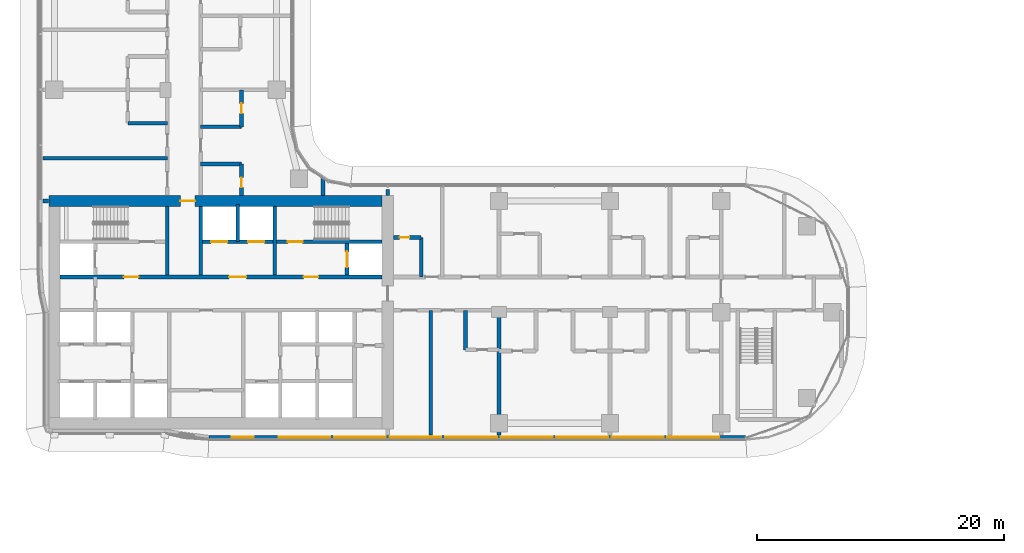
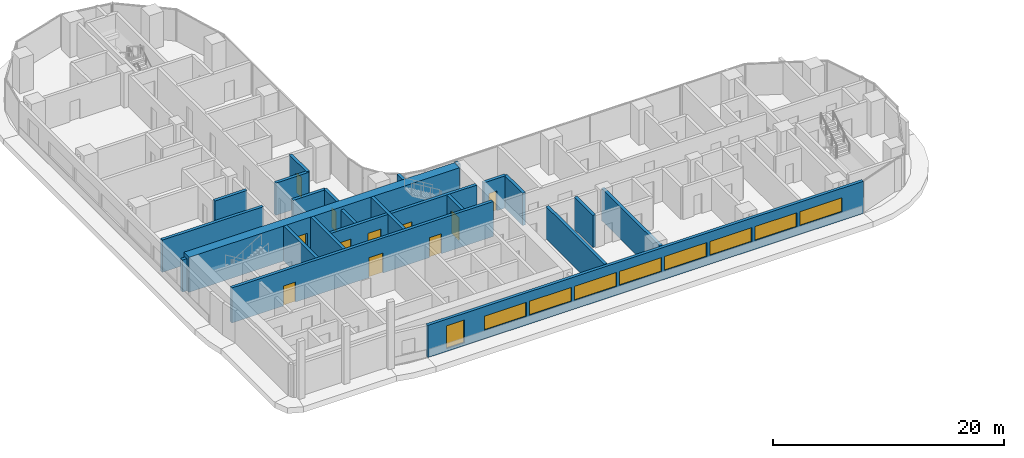
# One storey, part 20 of 39: 23 walls, 11 doors, 9 windows, 20 openings.
"""IFC4 building model written with IfcOpenShell, lengths in metres."""

from ifc_helpers import new_model, si_unit, direction, frame, frame_2d, origin, place, context, subcontext, project, spatial, rectangle, extrude, material, layer, layer_set, type_object, element, fill, save


model = new_model("IFC4")

# Units and contexts
model_context = context("Model", 3, precision=1e-05, world=origin(), true_north=direction((0.0, 1.0)))
body_context = subcontext(model_context, "Body", "Model", "MODEL_VIEW")
ifc_project = project(units=[si_unit("LENGTHUNIT", "METRE"), si_unit("AREAUNIT", "SQUARE_METRE"), si_unit("VOLUMEUNIT", "CUBIC_METRE"), si_unit("PLANEANGLEUNIT", "RADIAN"), si_unit("MASSUNIT", "GRAM", prefix="KILO")], contexts=[model_context])

# Site, building, storey
site_placement = place(None, origin())
site = spatial("IfcSite", under=ifc_project, at=site_placement, CompositionType="ELEMENT")
building_placement = place(site_placement, origin())
building = spatial("IfcBuilding", under=site, at=building_placement, Name="Ogive Portal Towers", CompositionType="ELEMENT")
storey_placement = place(building_placement, frame((0.0, 0.0, 44.60009765625)))
storey = spatial("IfcBuildingStorey", under=building, at=storey_placement, Name="L09", CompositionType="ELEMENT", Elevation=44.60009765625)

# Wall, openings, doors
ifc_material_1 = material(Name="Concrete C60/75", Category="concrete")
ifc_layer_1 = layer(ifc_material_1, 0.300048828125)
ifc_layer_set_1 = layer_set([ifc_layer_1], Name="CORE WALL 300 C60")
wall_type_1 = type_object("IfcWallType", Name="CORE WALL 300 C60", PredefinedType="SHEAR", material=ifc_layer_set_1)
wall_1_placement = place(storey_placement, frame((31.949951171875, 33.35009765625, 0.0), z_axis=(0.0, 0.0, 1.0), x_axis=(1.0, 0.0, 0.0)))
wall_1 = element("IfcWall", 1, at=wall_1_placement, inside=storey, type_object=wall_type_1, Name="Core wall Y2 L09", PredefinedType="SHEAR", context=body_context, shape_type="SweptSolid", body=[
    extrude(rectangle(XDim=26.10009765625, YDim=0.300048828125, at=frame_2d((13.050048828125, 0.0))), origin(), (0.0, 0.0, 1.0), 3.699951171875),
])
opening_1_placement = place(wall_1_placement, frame((13.699951171875, 0.0, 0.0)))
opening_1 = element("IfcOpeningElement", 2, at=opening_1_placement, cuts=wall_1, Name="Opening D02-002", PredefinedType="OPENING", context=body_context, shape_type="SweptSolid", body=[
    extrude(rectangle(XDim=1.39990234375, YDim=2.10009765625, at=frame_2d((0.699951171875, 1.050048828125))), frame((0.0, 0.16015625, 0.0), z_axis=(0.0, -1.0, 0.0), x_axis=(1.0, 0.0, 0.0)), (0.0, 0.0, 1.0), 0.320068359375),
])
opening_2_placement = place(wall_1_placement, frame((5.175048828125, 0.0, 0.0)))
opening_2 = element("IfcOpeningElement", 3, at=opening_2_placement, cuts=wall_1, Name="Opening D02-003", PredefinedType="OPENING", context=body_context, shape_type="SweptSolid", body=[
    extrude(rectangle(XDim=1.199951171875, YDim=2.10009765625, at=frame_2d((0.60009765625, 1.050048828125))), frame((0.0, 0.16015625, 0.0), z_axis=(0.0, -1.0, 0.0), x_axis=(1.0, 0.0, 0.0)), (0.0, 0.0, 1.0), 0.320068359375),
])
opening_3_placement = place(wall_1_placement, frame((19.72509765625, 0.0, 0.0)))
opening_3 = element("IfcOpeningElement", 4, at=opening_3_placement, cuts=wall_1, Name="Opening D02-004", PredefinedType="OPENING", context=body_context, shape_type="SweptSolid", body=[
    extrude(rectangle(XDim=1.199951171875, YDim=2.10009765625, at=frame_2d((0.60009765625, 1.050048828125))), frame((0.0, 0.16015625, 0.0), z_axis=(0.0, -1.0, 0.0), x_axis=(1.0, 0.0, 0.0)), (0.0, 0.0, 1.0), 0.320068359375),
])
ifc_material_2 = material(Name="Steel fire door", Category="steel")
door_type_1 = type_object("IfcDoorType", Name="DT-SWING-1200x2100-FD90S", OperationType="SINGLE_SWING_LEFT", PredefinedType="DOOR", material=ifc_material_2)
door_1_placement = place(opening_2_placement, origin())
door_1 = element("IfcDoor", 5, at=door_1_placement, inside=storey, type_object=door_type_1, Name="Door D02-003", OperationType="SINGLE_SWING_LEFT", OverallHeight=2.10009765625, OverallWidth=1.199951171875, PredefinedType="DOOR", context=body_context, shape_type="SweptSolid", body=[
    extrude(rectangle(XDim=1.199951171875, YDim=2.10009765625, at=frame_2d((0.60009765625, 1.050048828125))), frame((0.0, 0.02490234375, 0.0), z_axis=(0.0, -1.0, 0.0), x_axis=(1.0, 0.0, 0.0)), (0.0, 0.0, 1.0), 0.050048828125),
])
fill(opening_2, door_1)
door_2_placement = place(opening_3_placement, origin())
door_2 = element("IfcDoor", 6, at=door_2_placement, inside=storey, type_object=door_type_1, Name="Door D02-004", OperationType="SINGLE_SWING_RIGHT", OverallHeight=2.10009765625, OverallWidth=1.199951171875, PredefinedType="DOOR", context=body_context, shape_type="SweptSolid", body=[
    extrude(rectangle(XDim=1.199951171875, YDim=2.10009765625, at=frame_2d((0.60009765625, 1.050048828125))), frame((0.0, 0.02490234375, 0.0), z_axis=(0.0, -1.0, 0.0), x_axis=(1.0, 0.0, 0.0)), (0.0, 0.0, 1.0), 0.050048828125),
])
fill(opening_3, door_2)
door_type_2 = type_object("IfcDoorType", Name="DT-SWING-1400x2100-FD90S", OperationType="SINGLE_SWING_LEFT", PredefinedType="DOOR", material=ifc_material_2)
door_3_placement = place(opening_1_placement, origin())
door_3 = element("IfcDoor", 7, at=door_3_placement, inside=storey, type_object=door_type_2, Name="Door D02-002", OperationType="SINGLE_SWING_RIGHT", OverallHeight=2.10009765625, OverallWidth=1.39990234375, PredefinedType="DOOR", context=body_context, shape_type="SweptSolid", body=[
    extrude(rectangle(XDim=1.39990234375, YDim=2.10009765625, at=frame_2d((0.699951171875, 1.050048828125))), frame((0.0, 0.02490234375, 0.0), z_axis=(0.0, -1.0, 0.0), x_axis=(1.0, 0.0, 0.0)), (0.0, 0.0, 1.0), 0.050048828125),
])
fill(opening_1, door_3)

wall_2_placement = place(storey_placement, frame((43.5, 36.199951171875, 0.0), z_axis=(0.0, 0.0, 1.0), x_axis=(1.0, 0.0, 0.0)))
wall_2 = element("IfcWall", 8, at=wall_2_placement, inside=storey, type_object=wall_type_1, Name="Core wall Y3b L09", PredefinedType="SHEAR", context=body_context, shape_type="SweptSolid", body=[
    extrude(rectangle(XDim=14.550048828125, YDim=0.300048828125, at=frame_2d((7.27490234375, 0.0))), origin(), (0.0, 0.0, 1.0), 3.699951171875),
])
opening_4_placement = place(wall_2_placement, frame((6.89990234375, 0.0, 0.0)))
opening_4 = element("IfcOpeningElement", 9, at=opening_4_placement, cuts=wall_2, Name="Opening D02-006", PredefinedType="OPENING", context=body_context, shape_type="SweptSolid", body=[
    extrude(rectangle(XDim=1.199951171875, YDim=2.10009765625, at=frame_2d((0.60009765625, 1.050048828125))), frame((0.0, 0.16015625, 0.0), z_axis=(0.0, -1.0, 0.0), x_axis=(1.0, 0.0, 0.0)), (0.0, 0.0, 1.0), 0.320068359375),
])
opening_5_placement = place(wall_2_placement, frame((0.699951171875, 0.0, 0.0)))
opening_5 = element("IfcOpeningElement", 10, at=opening_5_placement, cuts=wall_2, Name="Opening D02-017", PredefinedType="OPENING", context=body_context, shape_type="SweptSolid", body=[
    extrude(rectangle(XDim=1.300048828125, YDim=2.39990234375, at=frame_2d((0.64990234375, 1.199951171875))), frame((0.0, 0.16015625, 0.0), z_axis=(0.0, -1.0, 0.0), x_axis=(1.0, 0.0, 0.0)), (0.0, 0.0, 1.0), 0.320068359375),
])
opening_6_placement = place(wall_2_placement, frame((3.699951171875, 0.0, 0.0)))
opening_6 = element("IfcOpeningElement", 11, at=opening_6_placement, cuts=wall_2, Name="Opening D02-018", PredefinedType="OPENING", context=body_context, shape_type="SweptSolid", body=[
    extrude(rectangle(XDim=1.300048828125, YDim=2.39990234375, at=frame_2d((0.64990234375, 1.199951171875))), frame((0.0, 0.16015625, 0.0), z_axis=(0.0, -1.0, 0.0), x_axis=(1.0, 0.0, 0.0)), (0.0, 0.0, 1.0), 0.320068359375),
])
ifc_material_3 = material(Name="Stainless steel", Category="steel")
door_type_3 = type_object("IfcDoorType", Name="DT-LD-1300x2400", OperationType="SLIDING_TO_LEFT", PredefinedType="DOOR", material=ifc_material_3)
door_4_placement = place(opening_5_placement, origin())
door_4 = element("IfcDoor", 12, at=door_4_placement, inside=storey, type_object=door_type_3, Name="Door D02-017", OperationType="SLIDING_TO_LEFT", OverallHeight=2.39990234375, OverallWidth=1.300048828125, PredefinedType="DOOR", context=body_context, shape_type="SweptSolid", body=[
    extrude(rectangle(XDim=1.300048828125, YDim=2.39990234375, at=frame_2d((0.64990234375, 1.199951171875))), frame((0.0, 0.02490234375, 0.0), z_axis=(0.0, -1.0, 0.0), x_axis=(1.0, 0.0, 0.0)), (0.0, 0.0, 1.0), 0.050048828125),
])
fill(opening_5, door_4)
door_5_placement = place(opening_6_placement, origin())
door_5 = element("IfcDoor", 13, at=door_5_placement, inside=storey, type_object=door_type_3, Name="Door D02-018", OperationType="SLIDING_TO_LEFT", OverallHeight=2.39990234375, OverallWidth=1.300048828125, PredefinedType="DOOR", context=body_context, shape_type="SweptSolid", body=[
    extrude(rectangle(XDim=1.300048828125, YDim=2.39990234375, at=frame_2d((0.64990234375, 1.199951171875))), frame((0.0, 0.02490234375, 0.0), z_axis=(0.0, -1.0, 0.0), x_axis=(1.0, 0.0, 0.0)), (0.0, 0.0, 1.0), 0.050048828125),
])
fill(opening_6, door_5)
door_6_placement = place(opening_4_placement, origin())
door_6 = element("IfcDoor", 14, at=door_6_placement, inside=storey, type_object=door_type_1, Name="Door D02-006", OperationType="SINGLE_SWING_LEFT", OverallHeight=2.10009765625, OverallWidth=1.199951171875, PredefinedType="DOOR", context=body_context, shape_type="SweptSolid", body=[
    extrude(rectangle(XDim=1.199951171875, YDim=2.10009765625, at=frame_2d((0.60009765625, 1.050048828125))), frame((0.0, 0.02490234375, 0.0), z_axis=(0.0, -1.0, 0.0), x_axis=(1.0, 0.0, 0.0)), (0.0, 0.0, 1.0), 0.050048828125),
])
fill(opening_4, door_6)

# Walls
for number, where, z_axis, x_axis, name in (
    (15, (40.64990234375, 33.5, 0.0), (0.0, 0.0, 1.0), (0.0, 1.0, 0.0), "Core wall X6 L09"),
    (16, (43.35009765625, 33.5, 0.0), (0.0, 0.0, 1.0), (0.0, 1.0, 0.0), "Core wall X7 L09"),
    (17, (49.35009765625, 33.5, 0.0), (0.0, 0.0, 1.0), (0.0, 1.0, 0.0), "Core wall X9 L09"),
):
    element("IfcWall", number, at=place(storey_placement, frame(where, z_axis=z_axis, x_axis=x_axis)), inside=storey, type_object=wall_type_1, Name=name, PredefinedType="SHEAR", context=body_context, shape_type="SweptSolid", body=[
        extrude(rectangle(XDim=5.550048828125, YDim=0.300048828125, at=frame_2d((2.77490234375, 0.0))), origin(), (0.0, 0.0, 1.0), 3.699951171875),
    ])

# Wall, opening, door
wall_3_placement = place(storey_placement, frame((55.199951171875, 33.5, 0.0), z_axis=(0.0, 0.0, 1.0), x_axis=(0.0, 1.0, 0.0)))
wall_3 = element("IfcWall", 18, at=wall_3_placement, inside=storey, type_object=wall_type_1, Name="Core wall X10 L09", PredefinedType="SHEAR", context=body_context, shape_type="SweptSolid", body=[
    extrude(rectangle(XDim=2.550048828125, YDim=0.300048828125, at=frame_2d((1.27490234375, 0.0))), origin(), (0.0, 0.0, 1.0), 3.699951171875),
])
opening_7_placement = place(wall_3_placement, frame((0.625, 0.0, 0.0)))
opening_7 = element("IfcOpeningElement", 19, at=opening_7_placement, cuts=wall_3, Name="Opening D02-020", PredefinedType="OPENING", context=body_context, shape_type="SweptSolid", body=[
    extrude(rectangle(XDim=1.300048828125, YDim=2.39990234375, at=frame_2d((0.64990234375, 1.199951171875))), frame((0.0, 0.16015625, 0.0), z_axis=(0.0, -1.0, 0.0), x_axis=(1.0, 0.0, 0.0)), (0.0, 0.0, 1.0), 0.320068359375),
])
door_7_placement = place(opening_7_placement, origin())
door_7 = element("IfcDoor", 20, at=door_7_placement, inside=storey, type_object=door_type_3, Name="Door D02-020", OperationType="SLIDING_TO_LEFT", OverallHeight=2.39990234375, OverallWidth=1.300048828125, PredefinedType="DOOR", context=body_context, shape_type="SweptSolid", body=[
    extrude(rectangle(XDim=1.300048828125, YDim=2.39990234375, at=frame_2d((0.64990234375, 1.199951171875))), frame((0.0, 0.02490234375, 0.0), z_axis=(0.0, -1.0, 0.0), x_axis=(1.0, 0.0, 0.0)), (0.0, 0.0, 1.0), 0.050048828125),
])
fill(opening_7, door_7)

ifc_layer_2 = layer(ifc_material_1, 0.89990234375)
ifc_layer_set_2 = layer_set([ifc_layer_2], Name="CORE WALL 900 C60")
wall_type_2 = type_object("IfcWallType", Name="CORE WALL 900 C60", PredefinedType="SHEAR", material=ifc_layer_set_2)
wall_4_placement = place(storey_placement, frame((31.050048828125, 39.5, 0.0), z_axis=(0.0, 0.0, 1.0), x_axis=(1.0, 0.0, 0.0)))
wall_4 = element("IfcWall", 21, at=wall_4_placement, inside=storey, type_object=wall_type_2, Name="Core wall N L09", PredefinedType="SHEAR", context=body_context, shape_type="SweptSolid", body=[
    extrude(rectangle(XDim=27.0, YDim=0.89990234375, at=frame_2d((13.5, 0.0))), origin(), (0.0, 0.0, 1.0), 3.699951171875),
])
opening_8_placement = place(wall_4_placement, frame((10.64990234375, 0.0, 0.0)))
opening_8 = element("IfcOpeningElement", 22, at=opening_8_placement, cuts=wall_4, Name="Opening D02-012", PredefinedType="OPENING", context=body_context, shape_type="SweptSolid", body=[
    extrude(rectangle(XDim=1.199951171875, YDim=2.10009765625, at=frame_2d((0.60009765625, 1.050048828125))), frame((0.0, 0.4599609375, 0.0), z_axis=(0.0, -1.0, 0.0), x_axis=(1.0, 0.0, 0.0)), (0.0, 0.0, 1.0), 0.919921875),
])
door_8_placement = place(opening_8_placement, origin())
door_8 = element("IfcDoor", 23, at=door_8_placement, inside=storey, type_object=door_type_1, Name="Door D02-012", OperationType="SINGLE_SWING_RIGHT", OverallHeight=2.10009765625, OverallWidth=1.199951171875, PredefinedType="DOOR", context=body_context, shape_type="SweptSolid", body=[
    extrude(rectangle(XDim=1.199951171875, YDim=2.10009765625, at=frame_2d((0.60009765625, 1.050048828125))), frame((0.0, 0.02490234375, 0.0), z_axis=(0.0, -1.0, 0.0), x_axis=(1.0, 0.0, 0.0)), (0.0, 0.0, 1.0), 0.050048828125),
])
fill(opening_8, door_8)

# Wall, openings, windows
ifc_material_4 = material(Name="Limestone cladding on lightweight block wall", Category="masonry")
ifc_layer_3 = layer(ifc_material_4, 0.300048828125)
ifc_layer_set_3 = layer_set([ifc_layer_3], Name="EXTERNAL WALL 300 STONE")
wall_type_3 = type_object("IfcWallType", Name="EXTERNAL WALL 300 STONE", PredefinedType="SOLIDWALL", material=ifc_layer_set_3)
wall_5_placement = place(storey_placement, frame((44.0205078125, 20.364990234375, 0.0), z_axis=(0.0, 0.0, 1.0), x_axis=(1.0, 0.0, 0.0)))
wall_5 = element("IfcWall", 24, at=wall_5_placement, inside=storey, type_object=wall_type_3, Name="A:L09:f05:r0:wall", PredefinedType="SOLIDWALL", context=body_context, shape_type="SweptSolid", body=[
    extrude(rectangle(XDim=43.4658203125, YDim=0.300048828125, at=frame_2d((21.73291015625, 0.0))), origin(), (0.0, 0.0, 1.0), 3.39990234375),
])
opening_9_placement = place(wall_5_placement, frame((1.83984375, 0.0, 0.300048828125)))
opening_9 = element("IfcOpeningElement", 25, at=opening_9_placement, cuts=wall_5, Name="Opening WN10", PredefinedType="OPENING", context=body_context, shape_type="SweptSolid", body=[
    extrude(rectangle(XDim=1.800048828125, YDim=2.39990234375, at=frame_2d((0.89990234375, 1.199951171875))), frame((0.0, 0.16015625, 0.0), z_axis=(0.0, -1.0, 0.0), x_axis=(1.0, 0.0, 0.0)), (0.0, 0.0, 1.0), 0.320068359375),
])
opening_10_placement = place(wall_5_placement, frame((5.629638671875, 0.0, 0.89990234375)))
opening_10 = element("IfcOpeningElement", 26, at=opening_10_placement, cuts=wall_5, Name="Opening WN11", PredefinedType="OPENING", context=body_context, shape_type="SweptSolid", body=[
    extrude(rectangle(XDim=4.199951171875, YDim=1.5, at=frame_2d((2.10009765625, 0.75))), frame((0.0, 0.16015625, 0.0), z_axis=(0.0, -1.0, 0.0), x_axis=(1.0, 0.0, 0.0)), (0.0, 0.0, 1.0), 0.320068359375),
])
opening_11_placement = place(wall_5_placement, frame((10.129638671875, 0.0, 0.89990234375)))
opening_11 = element("IfcOpeningElement", 27, at=opening_11_placement, cuts=wall_5, Name="Opening WN11", PredefinedType="OPENING", context=body_context, shape_type="SweptSolid", body=[
    extrude(rectangle(XDim=4.199951171875, YDim=1.5, at=frame_2d((2.10009765625, 0.75))), frame((0.0, 0.16015625, 0.0), z_axis=(0.0, -1.0, 0.0), x_axis=(1.0, 0.0, 0.0)), (0.0, 0.0, 1.0), 0.320068359375),
])
opening_12_placement = place(wall_5_placement, frame((14.629638671875, 0.0, 0.89990234375)))
opening_12 = element("IfcOpeningElement", 28, at=opening_12_placement, cuts=wall_5, Name="Opening WN11", PredefinedType="OPENING", context=body_context, shape_type="SweptSolid", body=[
    extrude(rectangle(XDim=4.199951171875, YDim=1.5, at=frame_2d((2.10009765625, 0.75))), frame((0.0, 0.16015625, 0.0), z_axis=(0.0, -1.0, 0.0), x_axis=(1.0, 0.0, 0.0)), (0.0, 0.0, 1.0), 0.320068359375),
])
opening_13_placement = place(wall_5_placement, frame((19.129638671875, 0.0, 0.89990234375)))
opening_13 = element("IfcOpeningElement", 29, at=opening_13_placement, cuts=wall_5, Name="Opening WN11", PredefinedType="OPENING", context=body_context, shape_type="SweptSolid", body=[
    extrude(rectangle(XDim=4.199951171875, YDim=1.5, at=frame_2d((2.10009765625, 0.75))), frame((0.0, 0.16015625, 0.0), z_axis=(0.0, -1.0, 0.0), x_axis=(1.0, 0.0, 0.0)), (0.0, 0.0, 1.0), 0.320068359375),
])
opening_14_placement = place(wall_5_placement, frame((23.629638671875, 0.0, 0.89990234375)))
opening_14 = element("IfcOpeningElement", 30, at=opening_14_placement, cuts=wall_5, Name="Opening WN11", PredefinedType="OPENING", context=body_context, shape_type="SweptSolid", body=[
    extrude(rectangle(XDim=4.199951171875, YDim=1.5, at=frame_2d((2.10009765625, 0.75))), frame((0.0, 0.16015625, 0.0), z_axis=(0.0, -1.0, 0.0), x_axis=(1.0, 0.0, 0.0)), (0.0, 0.0, 1.0), 0.320068359375),
])
opening_15_placement = place(wall_5_placement, frame((28.129638671875, 0.0, 0.89990234375)))
opening_15 = element("IfcOpeningElement", 31, at=opening_15_placement, cuts=wall_5, Name="Opening WN11", PredefinedType="OPENING", context=body_context, shape_type="SweptSolid", body=[
    extrude(rectangle(XDim=4.199951171875, YDim=1.5, at=frame_2d((2.10009765625, 0.75))), frame((0.0, 0.16015625, 0.0), z_axis=(0.0, -1.0, 0.0), x_axis=(1.0, 0.0, 0.0)), (0.0, 0.0, 1.0), 0.320068359375),
])
opening_16_placement = place(wall_5_placement, frame((32.629638671875, 0.0, 0.89990234375)))
opening_16 = element("IfcOpeningElement", 32, at=opening_16_placement, cuts=wall_5, Name="Opening WN11", PredefinedType="OPENING", context=body_context, shape_type="SweptSolid", body=[
    extrude(rectangle(XDim=4.199951171875, YDim=1.5, at=frame_2d((2.10009765625, 0.75))), frame((0.0, 0.16015625, 0.0), z_axis=(0.0, -1.0, 0.0), x_axis=(1.0, 0.0, 0.0)), (0.0, 0.0, 1.0), 0.320068359375),
])
opening_17_placement = place(wall_5_placement, frame((37.129638671875, 0.0, 0.89990234375)))
opening_17 = element("IfcOpeningElement", 33, at=opening_17_placement, cuts=wall_5, Name="Opening WN11", PredefinedType="OPENING", context=body_context, shape_type="SweptSolid", body=[
    extrude(rectangle(XDim=4.199951171875, YDim=1.5, at=frame_2d((2.10009765625, 0.75))), frame((0.0, 0.16015625, 0.0), z_axis=(0.0, -1.0, 0.0), x_axis=(1.0, 0.0, 0.0)), (0.0, 0.0, 1.0), 0.320068359375),
])
ifc_material_5 = material(Name="Glass, clear low-iron insulated glazing", Category="glass")
window_type_1 = type_object("IfcWindowType", Name="WINDOW RIBBON 4200x1500", PartitioningType="TRIPLE_PANEL_VERTICAL", PredefinedType="WINDOW", material=ifc_material_5)
window_1_placement = place(opening_10_placement, origin())
window_1 = element("IfcWindow", 34, at=window_1_placement, inside=storey, type_object=window_type_1, Name="A:L09:f05:r0:w1", OverallHeight=1.5, OverallWidth=4.199951171875, PartitioningType="SINGLE_PANEL", PredefinedType="WINDOW", context=body_context, shape_type="SweptSolid", body=[
    extrude(rectangle(XDim=4.199951171875, YDim=1.5, at=frame_2d((2.10009765625, 0.75))), frame((0.0, 0.030029296875, 0.0), z_axis=(0.0, -1.0, 0.0), x_axis=(1.0, 0.0, 0.0)), (0.0, 0.0, 1.0), 0.06005859375),
])
fill(opening_10, window_1)
window_2_placement = place(opening_11_placement, origin())
window_2 = element("IfcWindow", 35, at=window_2_placement, inside=storey, type_object=window_type_1, Name="A:L09:f05:r0:w2", OverallHeight=1.5, OverallWidth=4.199951171875, PartitioningType="SINGLE_PANEL", PredefinedType="WINDOW", context=body_context, shape_type="SweptSolid", body=[
    extrude(rectangle(XDim=4.199951171875, YDim=1.5, at=frame_2d((2.10009765625, 0.75))), frame((0.0, 0.030029296875, 0.0), z_axis=(0.0, -1.0, 0.0), x_axis=(1.0, 0.0, 0.0)), (0.0, 0.0, 1.0), 0.06005859375),
])
fill(opening_11, window_2)
window_3_placement = place(opening_12_placement, origin())
window_3 = element("IfcWindow", 36, at=window_3_placement, inside=storey, type_object=window_type_1, Name="A:L09:f05:r0:w3", OverallHeight=1.5, OverallWidth=4.199951171875, PartitioningType="SINGLE_PANEL", PredefinedType="WINDOW", context=body_context, shape_type="SweptSolid", body=[
    extrude(rectangle(XDim=4.199951171875, YDim=1.5, at=frame_2d((2.10009765625, 0.75))), frame((0.0, 0.030029296875, 0.0), z_axis=(0.0, -1.0, 0.0), x_axis=(1.0, 0.0, 0.0)), (0.0, 0.0, 1.0), 0.06005859375),
])
fill(opening_12, window_3)
window_4_placement = place(opening_13_placement, origin())
window_4 = element("IfcWindow", 37, at=window_4_placement, inside=storey, type_object=window_type_1, Name="A:L09:f05:r0:w4", OverallHeight=1.5, OverallWidth=4.199951171875, PartitioningType="SINGLE_PANEL", PredefinedType="WINDOW", context=body_context, shape_type="SweptSolid", body=[
    extrude(rectangle(XDim=4.199951171875, YDim=1.5, at=frame_2d((2.10009765625, 0.75))), frame((0.0, 0.030029296875, 0.0), z_axis=(0.0, -1.0, 0.0), x_axis=(1.0, 0.0, 0.0)), (0.0, 0.0, 1.0), 0.06005859375),
])
fill(opening_13, window_4)
window_5_placement = place(opening_14_placement, origin())
window_5 = element("IfcWindow", 38, at=window_5_placement, inside=storey, type_object=window_type_1, Name="A:L09:f05:r0:w5", OverallHeight=1.5, OverallWidth=4.199951171875, PartitioningType="SINGLE_PANEL", PredefinedType="WINDOW", context=body_context, shape_type="SweptSolid", body=[
    extrude(rectangle(XDim=4.199951171875, YDim=1.5, at=frame_2d((2.10009765625, 0.75))), frame((0.0, 0.030029296875, 0.0), z_axis=(0.0, -1.0, 0.0), x_axis=(1.0, 0.0, 0.0)), (0.0, 0.0, 1.0), 0.06005859375),
])
fill(opening_14, window_5)
window_6_placement = place(opening_15_placement, origin())
window_6 = element("IfcWindow", 39, at=window_6_placement, inside=storey, type_object=window_type_1, Name="A:L09:f05:r0:w6", OverallHeight=1.5, OverallWidth=4.199951171875, PartitioningType="SINGLE_PANEL", PredefinedType="WINDOW", context=body_context, shape_type="SweptSolid", body=[
    extrude(rectangle(XDim=4.199951171875, YDim=1.5, at=frame_2d((2.10009765625, 0.75))), frame((0.0, 0.030029296875, 0.0), z_axis=(0.0, -1.0, 0.0), x_axis=(1.0, 0.0, 0.0)), (0.0, 0.0, 1.0), 0.06005859375),
])
fill(opening_15, window_6)
window_7_placement = place(opening_16_placement, origin())
window_7 = element("IfcWindow", 40, at=window_7_placement, inside=storey, type_object=window_type_1, Name="A:L09:f05:r0:w7", OverallHeight=1.5, OverallWidth=4.199951171875, PartitioningType="SINGLE_PANEL", PredefinedType="WINDOW", context=body_context, shape_type="SweptSolid", body=[
    extrude(rectangle(XDim=4.199951171875, YDim=1.5, at=frame_2d((2.10009765625, 0.75))), frame((0.0, 0.030029296875, 0.0), z_axis=(0.0, -1.0, 0.0), x_axis=(1.0, 0.0, 0.0)), (0.0, 0.0, 1.0), 0.06005859375),
])
fill(opening_16, window_7)
window_8_placement = place(opening_17_placement, origin())
window_8 = element("IfcWindow", 41, at=window_8_placement, inside=storey, type_object=window_type_1, Name="A:L09:f05:r0:w8", OverallHeight=1.5, OverallWidth=4.199951171875, PartitioningType="SINGLE_PANEL", PredefinedType="WINDOW", context=body_context, shape_type="SweptSolid", body=[
    extrude(rectangle(XDim=4.199951171875, YDim=1.5, at=frame_2d((2.10009765625, 0.75))), frame((0.0, 0.030029296875, 0.0), z_axis=(0.0, -1.0, 0.0), x_axis=(1.0, 0.0, 0.0)), (0.0, 0.0, 1.0), 0.06005859375),
])
fill(opening_17, window_8)
window_type_2 = type_object("IfcWindowType", Name="WINDOW SUITE CORNER 1800x2400", PartitioningType="DOUBLE_PANEL_VERTICAL", PredefinedType="WINDOW", material=ifc_material_5)
window_9_placement = place(opening_9_placement, origin())
window_9 = element("IfcWindow", 42, at=window_9_placement, inside=storey, type_object=window_type_2, Name="A:L09:f05:r0:w0", OverallHeight=2.39990234375, OverallWidth=1.800048828125, PartitioningType="SINGLE_PANEL", PredefinedType="WINDOW", context=body_context, shape_type="SweptSolid", body=[
    extrude(rectangle(XDim=1.800048828125, YDim=2.39990234375, at=frame_2d((0.89990234375, 1.199951171875))), frame((0.0, 0.030029296875, 0.0), z_axis=(0.0, -1.0, 0.0), x_axis=(1.0, 0.0, 0.0)), (0.0, 0.0, 1.0), 0.06005859375),
])
fill(opening_9, window_9)

# Wall, opening, door
ifc_material_6 = material(Name="Gypsum board partition on steel studs", Category="steel")
ifc_layer_4 = layer(ifc_material_6, 0.300048828125)
ifc_layer_set_4 = layer_set([ifc_layer_4], Name="WT-PART-300-EI 60")
wall_type_4 = type_object("IfcWallType", Name="WT-PART-300-EI 60", PredefinedType="PARTITIONING", material=ifc_layer_set_4)
wall_6_placement = place(storey_placement, frame((58.949951171875, 36.550048828125, 0.0), z_axis=(0.0, 0.0, 1.0), x_axis=(1.0, 0.0, 0.0)))
wall_6 = element("IfcWall", 43, at=wall_6_placement, inside=storey, type_object=wall_type_4, Name="Wall L09:w010", PredefinedType="PARTITIONING", context=body_context, shape_type="SweptSolid", body=[
    extrude(rectangle(XDim=2.25, YDim=0.300048828125, at=frame_2d((1.125, 0.0))), origin(), (0.0, 0.0, 1.0), 3.39990234375),
])
opening_18_placement = place(wall_6_placement, frame((0.5, 0.0, 0.0)))
opening_18 = element("IfcOpeningElement", 44, at=opening_18_placement, cuts=wall_6, Name="Opening D02-026", PredefinedType="OPENING", context=body_context, shape_type="SweptSolid", body=[
    extrude(rectangle(XDim=0.800048828125, YDim=2.10009765625, at=frame_2d((0.39990234375, 1.050048828125))), frame((0.0, 0.16015625, 0.0), z_axis=(0.0, -1.0, 0.0), x_axis=(1.0, 0.0, 0.0)), (0.0, 0.0, 1.0), 0.320068359375),
])
door_type_4 = type_object("IfcDoorType", Name="DT-BATH-800x2100-FD60S", OperationType="SINGLE_SWING_LEFT", PredefinedType="DOOR", material=ifc_material_2)
door_9_placement = place(opening_18_placement, origin())
door_9 = element("IfcDoor", 45, at=door_9_placement, inside=storey, type_object=door_type_4, Name="Door D02-026", OperationType="SINGLE_SWING_LEFT", OverallHeight=2.10009765625, OverallWidth=0.800048828125, PredefinedType="DOOR", context=body_context, shape_type="SweptSolid", body=[
    extrude(rectangle(XDim=0.800048828125, YDim=2.10009765625, at=frame_2d((0.39990234375, 1.050048828125))), frame((0.0, 0.02490234375, 0.0), z_axis=(0.0, -1.0, 0.0), x_axis=(1.0, 0.0, 0.0)), (0.0, 0.0, 1.0), 0.050048828125),
])
fill(opening_18, door_9)

# Walls
wall_7_placement = place(storey_placement, frame((30.56494140625, 39.5, 0.0), z_axis=(0.0, 0.0, 1.0), x_axis=(1.0, 0.0, 0.0)))
element("IfcWall", 46, at=wall_7_placement, inside=storey, type_object=wall_type_4, Name="Wall L09:w014", PredefinedType="PARTITIONING", context=body_context, shape_type="SweptSolid", body=[
    extrude(rectangle(XDim=0.465087890625, YDim=0.300048828125, at=frame_2d((0.232421875, 0.0))), origin(), (0.0, 0.0, 1.0), 3.39990234375),
])
wall_8_placement = place(storey_placement, frame((43.35009765625, 42.5, 0.0), z_axis=(0.0, 0.0, 1.0), x_axis=(1.0, 0.0, 0.0)))
element("IfcWall", 47, at=wall_8_placement, inside=storey, type_object=wall_type_4, Name="Wall L09:w015", PredefinedType="PARTITIONING", context=body_context, shape_type="SweptSolid", body=[
    extrude(rectangle(XDim=3.2998046875, YDim=0.300048828125, at=frame_2d((1.64990234375, 0.0))), origin(), (0.0, 0.0, 1.0), 3.39990234375),
])
wall_9_placement = place(storey_placement, frame((30.56494140625, 42.969970703125, 0.0), z_axis=(0.0, 0.0, 1.0), x_axis=(1.0, 0.0, 0.0)))
element("IfcWall", 48, at=wall_9_placement, inside=storey, type_object=wall_type_4, Name="Wall L09:w016", PredefinedType="PARTITIONING", context=body_context, shape_type="SweptSolid", body=[
    extrude(rectangle(XDim=10.0849609375, YDim=0.300048828125, at=frame_2d((5.04248046875, 0.0))), origin(), (0.0, 0.0, 1.0), 3.39990234375),
])
wall_10_placement = place(storey_placement, frame((43.35009765625, 45.5, 0.0), z_axis=(0.0, 0.0, 1.0), x_axis=(1.0, 0.0, 0.0)))
element("IfcWall", 49, at=wall_10_placement, inside=storey, type_object=wall_type_4, Name="Wall L09:w017", PredefinedType="PARTITIONING", context=body_context, shape_type="SweptSolid", body=[
    extrude(rectangle(XDim=3.2998046875, YDim=0.300048828125, at=frame_2d((1.64990234375, 0.0))), origin(), (0.0, 0.0, 1.0), 3.39990234375),
])
wall_11_placement = place(storey_placement, frame((37.449951171875, 45.800048828125, 0.0), z_axis=(0.0, 0.0, 1.0), x_axis=(1.0, 0.0, 0.0)))
element("IfcWall", 50, at=wall_11_placement, inside=storey, type_object=wall_type_4, Name="Wall L09:w018", PredefinedType="PARTITIONING", context=body_context, shape_type="SweptSolid", body=[
    extrude(rectangle(XDim=3.199951171875, YDim=0.300048828125, at=frame_2d((1.60009765625, 0.0))), origin(), (0.0, 0.0, 1.0), 3.39990234375),
])

# Wall, opening, door
wall_12_placement = place(storey_placement, frame((46.64990234375, 39.949951171875, 0.0), z_axis=(0.0, 0.0, 1.0), x_axis=(0.0, 1.0, 0.0)))
wall_12 = element("IfcWall", 51, at=wall_12_placement, inside=storey, type_object=wall_type_4, Name="Wall L09:w042", PredefinedType="PARTITIONING", context=body_context, shape_type="SweptSolid", body=[
    extrude(rectangle(XDim=2.550048828125, YDim=0.300048828125, at=frame_2d((1.27490234375, 0.0))), origin(), (0.0, 0.0, 1.0), 3.39990234375),
])
opening_19_placement = place(wall_12_placement, frame((0.64990234375, 0.0, 0.0)))
opening_19 = element("IfcOpeningElement", 52, at=opening_19_placement, cuts=wall_12, Name="Opening D02-045", PredefinedType="OPENING", context=body_context, shape_type="SweptSolid", body=[
    extrude(rectangle(XDim=0.800048828125, YDim=2.10009765625, at=frame_2d((0.39990234375, 1.050048828125))), frame((0.0, 0.16015625, 0.0), z_axis=(0.0, -1.0, 0.0), x_axis=(1.0, 0.0, 0.0)), (0.0, 0.0, 1.0), 0.320068359375),
])
door_10_placement = place(opening_19_placement, origin())
door_10 = element("IfcDoor", 53, at=door_10_placement, inside=storey, type_object=door_type_4, Name="Door D02-045", OperationType="SINGLE_SWING_RIGHT", OverallHeight=2.10009765625, OverallWidth=0.800048828125, PredefinedType="DOOR", context=body_context, shape_type="SweptSolid", body=[
    extrude(rectangle(XDim=0.800048828125, YDim=2.10009765625, at=frame_2d((0.39990234375, 1.050048828125))), frame((0.0, 0.02490234375, 0.0), z_axis=(0.0, -1.0, 0.0), x_axis=(1.0, 0.0, 0.0)), (0.0, 0.0, 1.0), 0.050048828125),
])
fill(opening_19, door_10)

wall_13_placement = place(storey_placement, frame((46.64990234375, 45.5, 0.0), z_axis=(0.0, 0.0, 1.0), x_axis=(0.0, 1.0, 0.0)))
wall_13 = element("IfcWall", 54, at=wall_13_placement, inside=storey, type_object=wall_type_4, Name="Wall L09:w043", PredefinedType="PARTITIONING", context=body_context, shape_type="SweptSolid", body=[
    extrude(rectangle(XDim=3.0, YDim=0.300048828125, at=frame_2d((1.5, 0.0))), origin(), (0.0, 0.0, 1.0), 3.39990234375),
])
opening_20_placement = place(wall_13_placement, frame((1.10009765625, 0.0, 0.0)))
opening_20 = element("IfcOpeningElement", 55, at=opening_20_placement, cuts=wall_13, Name="Opening D02-046", PredefinedType="OPENING", context=body_context, shape_type="SweptSolid", body=[
    extrude(rectangle(XDim=0.800048828125, YDim=2.10009765625, at=frame_2d((0.39990234375, 1.050048828125))), frame((0.0, 0.16015625, 0.0), z_axis=(0.0, -1.0, 0.0), x_axis=(1.0, 0.0, 0.0)), (0.0, 0.0, 1.0), 0.320068359375),
])
door_11_placement = place(opening_20_placement, origin())
door_11 = element("IfcDoor", 56, at=door_11_placement, inside=storey, type_object=door_type_4, Name="Door D02-046", OperationType="SINGLE_SWING_LEFT", OverallHeight=2.10009765625, OverallWidth=0.800048828125, PredefinedType="DOOR", context=body_context, shape_type="SweptSolid", body=[
    extrude(rectangle(XDim=0.800048828125, YDim=2.10009765625, at=frame_2d((0.39990234375, 1.050048828125))), frame((0.0, 0.02490234375, 0.0), z_axis=(0.0, -1.0, 0.0), x_axis=(1.0, 0.0, 0.0)), (0.0, 0.0, 1.0), 0.050048828125),
])
fill(opening_20, door_11)

# Walls
wall_14_placement = place(storey_placement, frame((53.25, 39.949951171875, 0.0), z_axis=(0.0, 0.0, 1.0), x_axis=(0.0, 1.0, 0.0)))
element("IfcWall", 57, at=wall_14_placement, inside=storey, type_object=wall_type_4, Name="Wall L09:w045", PredefinedType="PARTITIONING", context=body_context, shape_type="SweptSolid", body=[
    extrude(rectangle(XDim=1.361083984375, YDim=0.300048828125, at=frame_2d((0.6806640625, 0.0))), origin(), (0.0, 0.0, 1.0), 3.39990234375),
])
wall_15_placement = place(storey_placement, frame((58.5, 39.949951171875, 0.0), z_axis=(0.0, 0.0, 1.0), x_axis=(0.0, 1.0, 0.0)))
element("IfcWall", 58, at=wall_15_placement, inside=storey, type_object=wall_type_4, Name="Wall L09:w047", PredefinedType="PARTITIONING", context=body_context, shape_type="SweptSolid", body=[
    extrude(rectangle(XDim=0.485107421875, YDim=0.300048828125, at=frame_2d((0.24267578125, 0.0))), origin(), (0.0, 0.0, 1.0), 3.39990234375),
])
wall_16_placement = place(storey_placement, frame((61.199951171875, 33.35009765625, 0.0), z_axis=(0.0, 0.0, 1.0), x_axis=(0.0, 1.0, 0.0)))
element("IfcWall", 59, at=wall_16_placement, inside=storey, type_object=wall_type_4, Name="Wall L09:w048", PredefinedType="PARTITIONING", context=body_context, shape_type="SweptSolid", body=[
    extrude(rectangle(XDim=3.199951171875, YDim=0.300048828125, at=frame_2d((1.60009765625, 0.0))), origin(), (0.0, 0.0, 1.0), 3.39990234375),
])
wall_17_placement = place(storey_placement, frame((61.969970703125, 20.56494140625, 0.0), z_axis=(0.0, 0.0, 1.0), x_axis=(0.0, 1.0, 0.0)))
element("IfcWall", 60, at=wall_17_placement, inside=storey, type_object=wall_type_4, Name="Wall L09:w049", PredefinedType="PARTITIONING", context=body_context, shape_type="SweptSolid", body=[
    extrude(rectangle(XDim=10.0849609375, YDim=0.300048828125, at=frame_2d((5.04248046875, 0.0))), origin(), (0.0, 0.0, 1.0), 3.39990234375),
])
wall_18_placement = place(storey_placement, frame((64.800048828125, 27.449951171875, 0.0), z_axis=(0.0, 0.0, 1.0), x_axis=(0.0, 1.0, 0.0)))
element("IfcWall", 61, at=wall_18_placement, inside=storey, type_object=wall_type_4, Name="Wall L09:w051", PredefinedType="PARTITIONING", context=body_context, shape_type="SweptSolid", body=[
    extrude(rectangle(XDim=3.199951171875, YDim=0.300048828125, at=frame_2d((1.60009765625, 0.0))), origin(), (0.0, 0.0, 1.0), 3.39990234375),
])
wall_19_placement = place(storey_placement, frame((67.5, 20.56494140625, 0.0), z_axis=(0.0, 0.0, 1.0), x_axis=(0.0, 1.0, 0.0)))
element("IfcWall", 62, at=wall_19_placement, inside=storey, type_object=wall_type_4, Name="Wall L09:w052", PredefinedType="PARTITIONING", context=body_context, shape_type="SweptSolid", body=[
    extrude(rectangle(XDim=10.0849609375, YDim=0.300048828125, at=frame_2d((5.04248046875, 0.0))), origin(), (0.0, 0.0, 1.0), 3.39990234375),
])
ifc_material_7 = material(Name="Concrete C40/50", Category="concrete")
ifc_layer_5 = layer(ifc_material_7, 0.300048828125)
ifc_layer_set_5 = layer_set([ifc_layer_5], Name="WT-SHAFT-300")
wall_type_5 = type_object("IfcWallType", Name="WT-SHAFT-300", PredefinedType="SOLIDWALL", material=ifc_layer_set_5)
wall_20_placement = place(storey_placement, frame((46.35009765625, 36.199951171875, 0.0), z_axis=(0.0, 0.0, 1.0), x_axis=(0.0, 1.0, 0.0)))
element("IfcWall", 63, at=wall_20_placement, inside=storey, type_object=wall_type_5, Name="Wall pw:009:L09", PredefinedType="SOLIDWALL", context=body_context, shape_type="SweptSolid", body=[
    extrude(rectangle(XDim=3.0, YDim=0.300048828125, at=frame_2d((1.5, 0.0))), origin(), (0.0, 0.0, 1.0), 3.39990234375),
])

save(model, "model.ifc")
